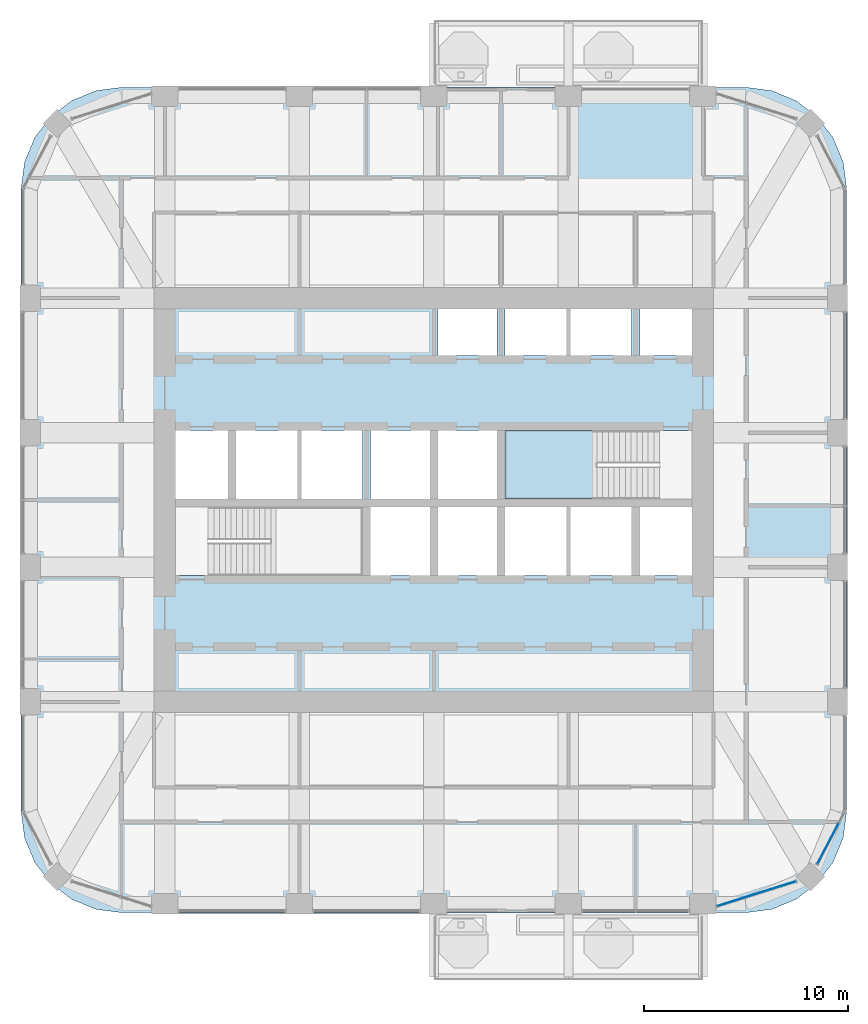
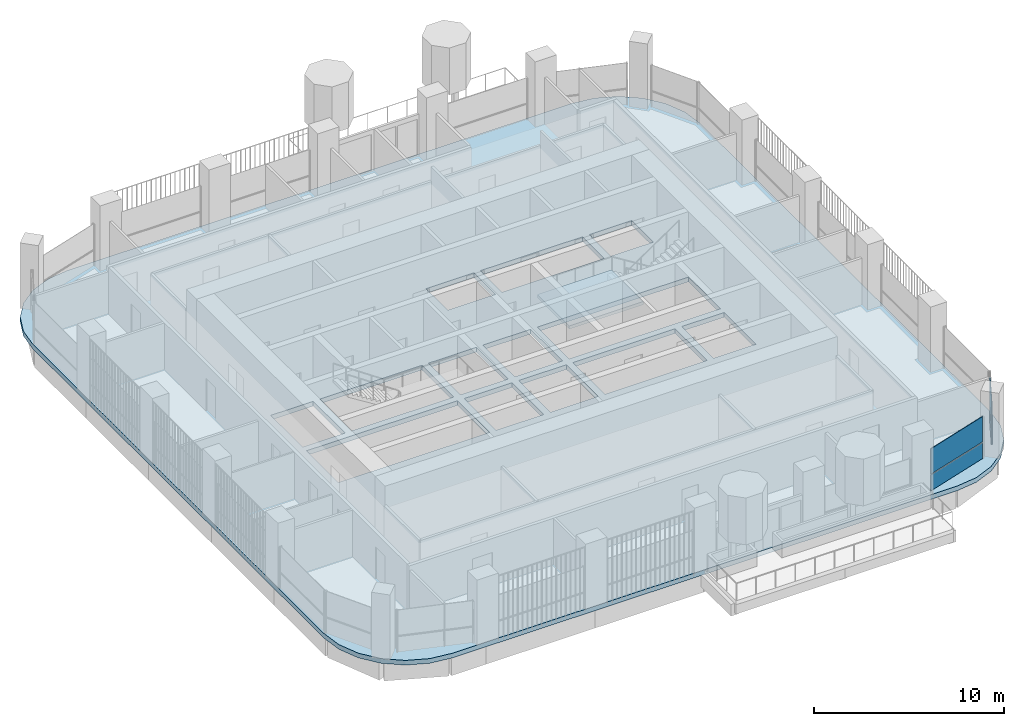
# One storey, part 10 of 21: 4 plates, 2 slabs, 3 elements without a shape of their own.
"""IFC4 building model written with IfcOpenShell, lengths in metres."""

from ifc_helpers import new_model, si_unit, direction, frame, origin, origin_2d, place, context, subcontext, project, spatial, polyline, rectangle, outline, extrude, material, layer, layer_set, type_object, element, aggregate, save


model = new_model("IFC4")

# Units and contexts
model_context = context("Model", 3, precision=1e-05, world=origin(), true_north=direction((0.0, 1.0)))
body_context = subcontext(model_context, "Body", "Model", "MODEL_VIEW")
ifc_project = project(units=[si_unit("LENGTHUNIT", "METRE"), si_unit("AREAUNIT", "SQUARE_METRE"), si_unit("VOLUMEUNIT", "CUBIC_METRE"), si_unit("PLANEANGLEUNIT", "RADIAN"), si_unit("MASSUNIT", "GRAM", prefix="KILO")], contexts=[model_context])

# Site, building, storey
site_placement = place(None, origin())
site = spatial("IfcSite", under=ifc_project, at=site_placement, CompositionType="ELEMENT")
building_placement = place(site_placement, origin())
building = spatial("IfcBuilding", under=site, at=building_placement, Name="Cobogo Forest Laboratory Tower", CompositionType="ELEMENT")
storey_placement = place(building_placement, frame((0.0, 0.0, 241.800048828125)))
storey = spatial("IfcBuildingStorey", under=building, at=storey_placement, Name="L55", CompositionType="ELEMENT", Elevation=241.800048828125)

# Slab
ifc_material_1 = material(Name="Concrete HA-40 (C40/50)", Category="concrete")
ifc_layer_1 = layer(ifc_material_1, 0.300048828125)
ifc_layer_set_1 = layer_set([ifc_layer_1], Name="Floor slab 300")
slab_type_1 = type_object("IfcSlabType", Name="Floor slab 300", PredefinedType="FLOOR", material=ifc_layer_set_1)
slab_1_placement = place(storey_placement, frame((0.0, 0.0, -0.300048828125)))
element("IfcSlab", 1, at=slab_1_placement, inside=storey, type_object=slab_type_1, Name="L55 floor slab", PredefinedType="FLOOR", context=body_context, shape_type="SweptSolid", body=[
    extrude(outline(polyline([(41.699951171875, 2.85009765625), (42.981201171875, 3.0185546875), (44.175048828125, 3.51318359375), (45.2001953125, 4.2998046875), (45.98681640625, 5.324951171875), (46.4814453125, 6.518798828125), (46.64990234375, 7.800048828125), (46.64990234375, 38.39990234375), (46.4814453125, 39.68115234375), (45.98681640625, 40.875), (45.2001953125, 41.900146484375), (44.175048828125, 42.686767578125), (42.981201171875, 43.181396484375), (41.699951171875, 43.35009765625), (11.10009765625, 43.35009765625), (9.81884765625, 43.181396484375), (8.625, 42.686767578125), (7.599853515625, 41.900146484375), (6.813232421875, 40.875), (6.318603515625, 39.68115234375), (6.14990234375, 38.39990234375), (6.14990234375, 7.800048828125), (6.318603515625, 6.518798828125), (6.813232421875, 5.324951171875), (7.599853515625, 4.2998046875), (8.625, 3.51318359375), (9.81884765625, 3.0185546875), (11.10009765625, 2.85009765625), (41.699951171875, 2.85009765625)]), holes=[polyline([(22.89990234375, 19.39990234375), (13.72509765625, 19.39990234375), (13.72509765625, 22.75), (22.89990234375, 22.75), (22.89990234375, 19.39990234375)]), polyline([(26.199951171875, 19.39990234375), (23.300048828125, 19.39990234375), (23.300048828125, 22.75), (26.199951171875, 22.75), (26.199951171875, 19.39990234375)]), polyline([(29.5, 19.39990234375), (26.60009765625, 19.39990234375), (26.60009765625, 22.75), (29.5, 22.75), (29.5, 19.39990234375)]), polyline([(36.10009765625, 22.75), (36.10009765625, 19.39990234375), (29.89990234375, 19.39990234375), (29.89990234375, 22.75), (36.10009765625, 22.75)]), polyline([(39.074951171875, 19.39990234375), (36.5, 19.39990234375), (36.5, 22.75), (39.074951171875, 22.75), (39.074951171875, 19.39990234375)]), polyline([(16.300048828125, 23.14990234375), (13.72509765625, 23.14990234375), (13.72509765625, 26.5), (16.300048828125, 26.5), (16.300048828125, 23.14990234375)]), polyline([(22.89990234375, 26.5), (22.89990234375, 23.14990234375), (16.699951171875, 23.14990234375), (16.699951171875, 26.5), (22.89990234375, 26.5)]), polyline([(26.199951171875, 23.14990234375), (23.300048828125, 23.14990234375), (23.300048828125, 26.5), (26.199951171875, 26.5), (26.199951171875, 23.14990234375)]), polyline([(29.5, 23.14990234375), (26.60009765625, 23.14990234375), (26.60009765625, 26.5), (29.5, 26.5), (29.5, 23.14990234375)]), polyline([(39.074951171875, 23.14990234375), (29.89990234375, 23.14990234375), (29.89990234375, 26.5), (39.074951171875, 26.5), (39.074951171875, 23.14990234375)]), polyline([(29.5, 30.199951171875), (26.60009765625, 30.199951171875), (26.60009765625, 32.47509765625), (29.5, 32.47509765625), (29.5, 30.199951171875)]), polyline([(36.10009765625, 32.47509765625), (36.10009765625, 30.199951171875), (29.89990234375, 30.199951171875), (29.89990234375, 32.47509765625), (36.10009765625, 32.47509765625)]), polyline([(39.074951171875, 30.199951171875), (36.5, 30.199951171875), (36.5, 32.47509765625), (39.074951171875, 32.47509765625), (39.074951171875, 30.199951171875)])]), origin(), (0.0, 0.0, 1.0), 0.300048828125),
])

# Curtain wall, plates
ifc_material_2 = material(Name="Aluminium curtain wall", Category="aluminium")
curtain_wall_type = type_object("IfcCurtainWallType", Name="CW-2 unitised curtain wall, solar control glazing, laboratory floors zones C and D", PredefinedType="USERDEFINED", material=ifc_material_2)
curtain_wall_1_placement = place(storey_placement, origin())
curtain_wall_1 = element("IfcCurtainWall", 2, at=curtain_wall_1_placement, inside=storey, type_object=curtain_wall_type, Name="Curtain wall 05 L55", ObjectType="UNITISED CURTAIN WALL", PredefinedType="USERDEFINED")
ifc_material_3 = material(Name="Solar control insulated glass", Category="glass")
ifc_layer_2 = layer(ifc_material_3, 0.031982421875)
ifc_layer_set_2 = layer_set([ifc_layer_2], Name="GP-2 solar control glass unit 32")
plate_type = type_object("IfcPlateType", Name="GP-2 solar control glass unit 32", PredefinedType="CURTAIN_PANEL", material=ifc_layer_set_2)
plate_1_placement = place(storey_placement, frame((42.2275390625, 3.77978515625, 0.0), z_axis=(0.0, 0.0, 1.0), x_axis=(0.953581386052, 0.301135418334, 0.0)))
plate_1 = element("IfcPlate", 3, at=plate_1_placement, type_object=plate_type, Name="CW-2 panel 1.1", PredefinedType="CURTAIN_PANEL", context=body_context, shape_type="SweptSolid", body=[
    extrude(rectangle(XDim=4.02734375, YDim=0.031982421875, at=origin_2d()), origin(), (0.0, 0.0, 1.0), 1.02001953125),
])
plate_2_placement = place(storey_placement, frame((42.2275390625, 3.77978515625, 1.079833984375), z_axis=(0.0, 0.0, 1.0), x_axis=(0.953581386052, 0.301135418334, 0.0)))
plate_2 = element("IfcPlate", 4, at=plate_2_placement, type_object=plate_type, Name="CW-2 panel 1.2", PredefinedType="CURTAIN_PANEL", context=body_context, shape_type="SweptSolid", body=[
    extrude(rectangle(XDim=4.02734375, YDim=0.031982421875, at=origin_2d()), origin(), (0.0, 0.0, 1.0), 1.6201171875),
])
aggregate(curtain_wall_1, [plate_1, plate_2])

curtain_wall_2_placement = place(storey_placement, origin())
curtain_wall_2 = element("IfcCurtainWall", 5, at=curtain_wall_2_placement, inside=storey, type_object=curtain_wall_type, Name="Curtain wall 06 L55", ObjectType="UNITISED CURTAIN WALL", PredefinedType="USERDEFINED")
plate_3_placement = place(storey_placement, frame((45.7353515625, 6.24609375, 0.0), z_axis=(0.0, 0.0, 1.0), x_axis=(0.464283791352, 0.885686491422, 0.0)))
plate_3 = element("IfcPlate", 6, at=plate_3_placement, type_object=plate_type, Name="CW-2 panel 1.1", PredefinedType="CURTAIN_PANEL", context=body_context, shape_type="SweptSolid", body=[
    extrude(rectangle(XDim=2.236328125, YDim=0.031982421875, at=origin_2d()), origin(), (0.0, 0.0, 1.0), 1.02001953125),
])
plate_4_placement = place(storey_placement, frame((45.7353515625, 6.24609375, 1.079833984375), z_axis=(0.0, 0.0, 1.0), x_axis=(0.464283791352, 0.885686491422, 0.0)))
plate_4 = element("IfcPlate", 7, at=plate_4_placement, type_object=plate_type, Name="CW-2 panel 1.2", PredefinedType="CURTAIN_PANEL", context=body_context, shape_type="SweptSolid", body=[
    extrude(rectangle(XDim=2.236328125, YDim=0.031982421875, at=origin_2d()), origin(), (0.0, 0.0, 1.0), 1.6201171875),
])
aggregate(curtain_wall_2, [plate_3, plate_4])

# Stair, slab
ifc_material_4 = material(Name="Precast concrete HA-40 (C40/50)", Category="concrete")
stair_type = type_object("IfcStairType", Name="ST24 exit stair 24 risers", PredefinedType="HALF_TURN_STAIR", material=ifc_material_4)
stair_placement = place(storey_placement, origin())
stair = element("IfcStair", 8, at=stair_placement, inside=storey, type_object=stair_type, Name="Stair 2 L55 to L56", PredefinedType="HALF_TURN_STAIR")
ifc_layer_3 = layer(ifc_material_1, 0.199951171875)
ifc_layer_set_3 = layer_set([ifc_layer_3], Name="SL stair landing 200")
slab_type_2 = type_object("IfcSlabType", Name="SL stair landing 200", PredefinedType="LANDING", material=ifc_layer_set_3)
slab_2_placement = place(storey_placement, frame((0.0, 0.0, 1.89990234375)))
slab_2 = element("IfcSlab", 9, at=slab_2_placement, type_object=slab_type_2, Name="ST2 landing 2", PredefinedType="LANDING", context=body_context, shape_type="SweptSolid", body=[
    extrude(outline(polyline([(29.89990234375, 23.14990234375), (34.39697265625, 23.14990234375), (34.39697265625, 26.5), (29.89990234375, 26.5), (29.89990234375, 23.14990234375)])), origin(), (0.0, 0.0, 1.0), 0.199951171875),
])
aggregate(stair, [slab_2])

save(model, "model.ifc")
